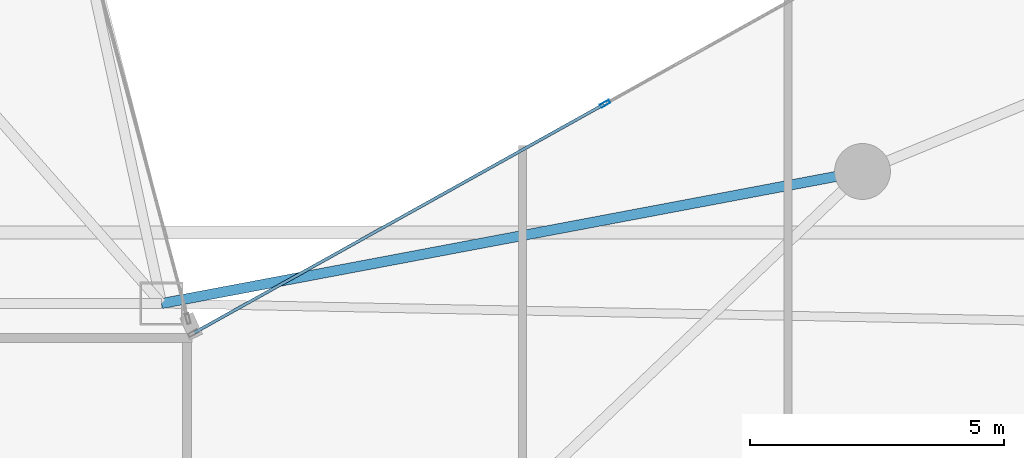
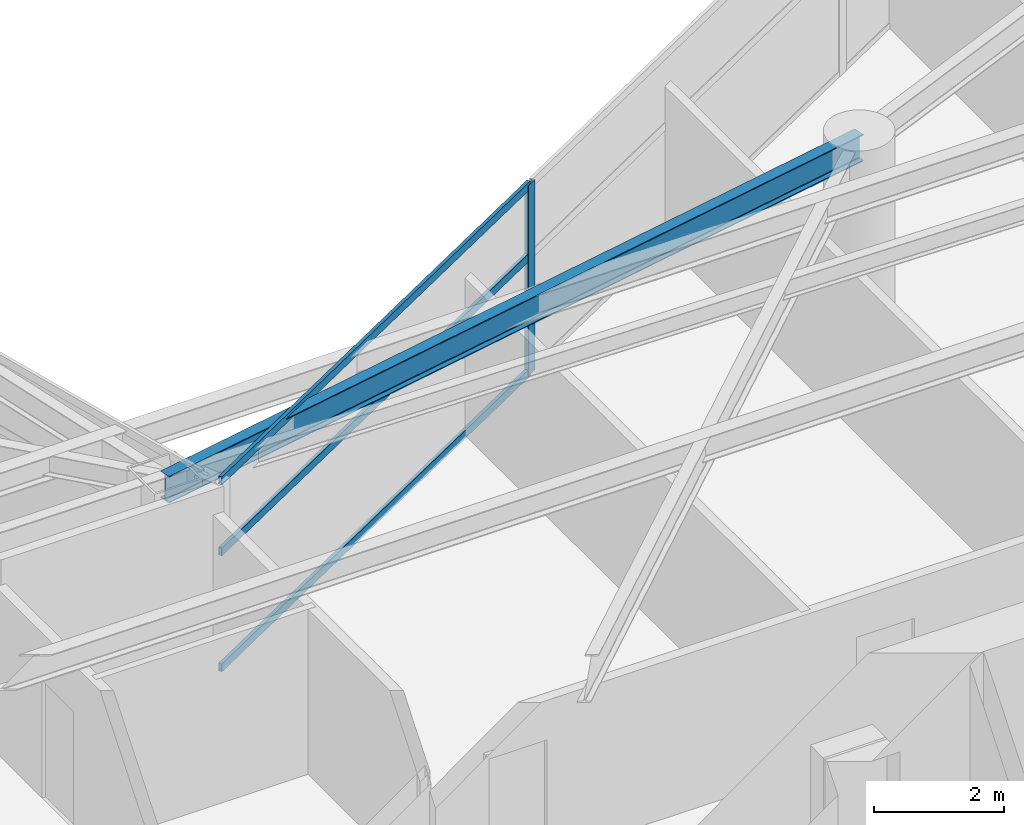
# One storey, part 11 of 28: 4 members, 1 beam, 1 element without a shape of its own.
"""IFC4 building model written with IfcOpenShell, lengths in metres."""

from ifc_helpers import new_model, si_unit, direction, frame, origin, origin_2d, place, context, subcontext, project, spatial, hollow_rectangle, i_section, extrude, material, layer, layer_set, material_profile, profile_set, type_object, element, aggregate, save


model = new_model("IFC4")

# Units and contexts
model_context = context("Model", 3, precision=1e-05, world=origin(), true_north=direction((0.0, 1.0)))
body_context = subcontext(model_context, "Body", "Model", "MODEL_VIEW")
ifc_project = project(units=[si_unit("LENGTHUNIT", "METRE"), si_unit("AREAUNIT", "SQUARE_METRE"), si_unit("VOLUMEUNIT", "CUBIC_METRE"), si_unit("PLANEANGLEUNIT", "RADIAN"), si_unit("MASSUNIT", "GRAM", prefix="KILO")], contexts=[model_context])

# Site, building, storey
site_placement = place(None, origin())
site = spatial("IfcSite", under=ifc_project, at=site_placement, CompositionType="ELEMENT")
building_placement = place(site_placement, origin())
building = spatial("IfcBuilding", under=site, at=building_placement, Name="Calvorn Quay Hotel", CompositionType="ELEMENT")
storey_placement = place(building_placement, frame((0.0, 0.0, 178.89990234375)))
storey = spatial("IfcBuildingStorey", under=building, at=storey_placement, Name="L44", CompositionType="ELEMENT", Elevation=178.89990234375)

# Beam
ifc_material_1 = material(Name="Steel Q355B", Category="steel")
ifc_material_profile_1 = material_profile(ifc_material_1, i_section(OverallWidth=0.199951171875, OverallDepth=0.5, WebThickness=0.010009765625, FlangeThickness=0.01611328125, FilletRadius=0.01611328125, at=origin_2d()), Name="HN500x200x10x16")
ifc_profile_set_1 = profile_set([ifc_material_profile_1], Name="Steel Q355B")
beam_type = type_object("IfcBeamType", Name="BM-SPANDREL-Z1", PredefinedType="SPANDREL", material=ifc_profile_set_1)
beam_placement = place(storey_placement, frame((34.800048828125, 27.60009765625, 3.2900390625), z_axis=(-0.982709432406, -0.185154452988, 0.0), x_axis=(0.185154452988, -0.982709432406, 0.0)))
element("IfcBeam", 1, at=beam_placement, inside=storey, type_object=beam_type, Name="Beam BSP-L44-E5", PredefinedType="SPANDREL", context=body_context, shape_type="SweptSolid", body=[
    extrude(i_section(OverallWidth=0.199951171875, OverallDepth=0.5, WebThickness=0.010009765625, FlangeThickness=0.01611328125, FilletRadius=0.01611328125, at=origin_2d()), origin(), (0.0, 0.0, 1.0), 14.04296875),
])

# Curtain wall, members
ifc_material_2 = material(Name="Pale Anodised Aluminium and Low-E Glass", Category="aluminium")
ifc_layer = layer(ifc_material_2, 0.219970703125)
ifc_layer_set = layer_set([ifc_layer], Name="CW-SYS-Z2")
curtain_wall_type = type_object("IfcCurtainWallType", Name="CW-SYS-Z2", PredefinedType="NOTDEFINED", material=ifc_layer_set)
curtain_wall_placement = place(storey_placement, origin())
curtain_wall = element("IfcCurtainWall", 2, at=curtain_wall_placement, inside=storey, type_object=curtain_wall_type, Name="Inner Court Curtain Wall L44-NE1", PredefinedType="NOTDEFINED")
ifc_material_3 = material(Name="Pale Anodised Aluminium 6063-T6", Category="aluminium")
ifc_material_profile_2 = material_profile(ifc_material_3, hollow_rectangle(XDim=0.070068359375, YDim=0.199951171875, WallThickness=0.00390625, at=origin_2d()), Name="ALU-M200x70x4")
ifc_profile_set_2 = profile_set([ifc_material_profile_2], Name="Pale Anodised Aluminium 6063-T6")
member_type_1 = type_object("IfcMemberType", Name="CW-SYS-Z2-MUL", PredefinedType="MULLION", material=ifc_profile_set_2)
member_1_placement = place(storey_placement, frame((29.7333984375, 28.933349609375, 0.0), z_axis=(0.0, 0.0, 1.0), x_axis=(0.486858256224, -0.873480989116, 0.0)))
member_1 = element("IfcMember", 3, at=member_1_placement, type_object=member_type_1, Name="CW-L44-NE1 mullion 3", PredefinedType="MULLION", context=body_context, shape_type="SweptSolid", body=[
    extrude(hollow_rectangle(XDim=0.070068359375, YDim=0.199951171875, WallThickness=0.00390625, at=origin_2d()), origin(), (0.0, 0.0, 1.0), 3.56005859375),
])
ifc_material_4 = material(Name="Pale Anodised Aluminium 6063-T6", Category="aluminium")
ifc_material_profile_3 = material_profile(ifc_material_4, hollow_rectangle(XDim=0.06005859375, YDim=0.14990234375, WallThickness=0.00341796875, at=origin_2d()), Name="ALU-T150x60x3.5")
ifc_profile_set_3 = profile_set([ifc_material_profile_3], Name="Pale Anodised Aluminium 6063-T6")
member_type_2 = type_object("IfcMemberType", Name="CW-SYS-Z2-TRN", PredefinedType="USERDEFINED", material=ifc_profile_set_3)
member_2_placement = place(storey_placement, frame((29.70703125, 28.918701171875, 0.030029296875), z_axis=(-0.87348080454, -0.486858587375, 0.0), x_axis=(0.486858587375, -0.87348080454, 0.0)))
member_2 = element("IfcMember", 4, at=member_2_placement, type_object=member_type_2, Name="CW-L44-NE1 transom 3.1", ObjectType="TRANSOM", PredefinedType="USERDEFINED", context=body_context, shape_type="SweptSolid", body=[
    extrude(hollow_rectangle(XDim=0.06005859375, YDim=0.14990234375, WallThickness=0.00341796875, at=origin_2d()), origin(), (0.0, 0.0, 1.0), 9.221435546875),
])
member_3_placement = place(storey_placement, frame((29.70703125, 28.918701171875, 2.2001953125), z_axis=(-0.87348080454, -0.486858587375, 0.0), x_axis=(0.486858587375, -0.87348080454, 0.0)))
member_3 = element("IfcMember", 5, at=member_3_placement, type_object=member_type_2, Name="CW-L44-NE1 transom 3.2", ObjectType="TRANSOM", PredefinedType="USERDEFINED", context=body_context, shape_type="SweptSolid", body=[
    extrude(hollow_rectangle(XDim=0.06005859375, YDim=0.14990234375, WallThickness=0.00341796875, at=origin_2d()), origin(), (0.0, 0.0, 1.0), 9.221435546875),
])
member_4_placement = place(storey_placement, frame((29.70703125, 28.918701171875, 3.530029296875), z_axis=(-0.87348080454, -0.486858587375, 0.0), x_axis=(0.486858587375, -0.87348080454, 0.0)))
member_4 = element("IfcMember", 6, at=member_4_placement, type_object=member_type_2, Name="CW-L44-NE1 transom 3.3", ObjectType="TRANSOM", PredefinedType="USERDEFINED", context=body_context, shape_type="SweptSolid", body=[
    extrude(hollow_rectangle(XDim=0.06005859375, YDim=0.14990234375, WallThickness=0.00341796875, at=origin_2d()), origin(), (0.0, 0.0, 1.0), 9.221435546875),
])
aggregate(curtain_wall, [member_1, member_2, member_3, member_4])

save(model, "model.ifc")
